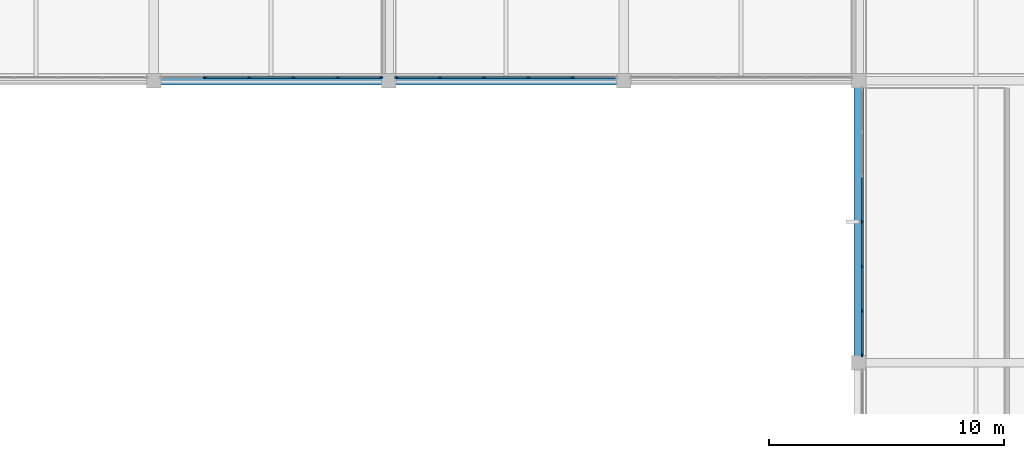
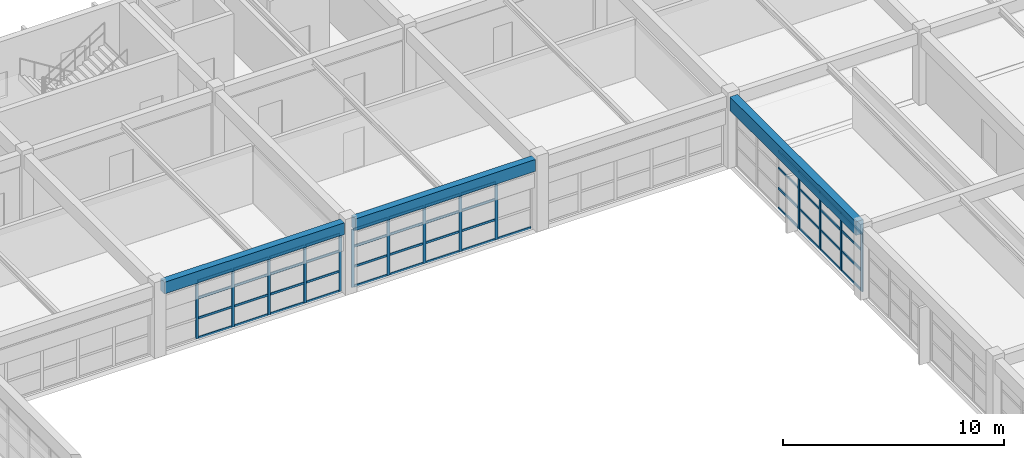
# One storey, part 10 of 28: 63 members, 3 beams, 3 elements without a shape of their own.
"""IFC4 building model written with IfcOpenShell, lengths in metres."""

from ifc_helpers import new_model, si_unit, direction, frame, origin, origin_2d, place, context, subcontext, project, spatial, rectangle, extrude, material, layer, layer_set, material_profile, profile_set, type_object, element, aggregate, save


model = new_model("IFC4")

# Units and contexts
model_context = context("Model", 3, precision=1e-05, world=origin(), true_north=direction((0.0, 1.0)))
body_context = subcontext(model_context, "Body", "Model", "MODEL_VIEW")
ifc_project = project(units=[si_unit("LENGTHUNIT", "METRE"), si_unit("AREAUNIT", "SQUARE_METRE"), si_unit("VOLUMEUNIT", "CUBIC_METRE"), si_unit("PLANEANGLEUNIT", "RADIAN"), si_unit("MASSUNIT", "GRAM", prefix="KILO")], contexts=[model_context])

# Site, building, storey
site_placement = place(None, origin())
site = spatial("IfcSite", under=ifc_project, at=site_placement, CompositionType="ELEMENT")
building_placement = place(site_placement, origin())
building = spatial("IfcBuilding", under=site, at=building_placement, Name="Kivolera Central Railway Station", CompositionType="ELEMENT")
storey_placement = place(building_placement, frame((0.0, 0.0, 18.60009765625)))
storey = spatial("IfcBuildingStorey", under=building, at=storey_placement, Name="L04", CompositionType="ELEMENT", Elevation=18.60009765625)

# Beams
ifc_material_1 = material(Name="Concrete C40/50", Category="concrete")
ifc_material_profile_1 = material_profile(ifc_material_1, rectangle(XDim=0.35009765625, YDim=0.64990234375, at=origin_2d()), Name="RC 350x650")
ifc_profile_set_1 = profile_set([ifc_material_profile_1], Name="Concrete C40/50")
beam_type_1 = type_object("IfcBeamType", Name="BM-RC-350x650", PredefinedType="BEAM", material=ifc_profile_set_1)
for number, where, z_axis, x_axis, name in (
    (1, (148.2919921875, 114.0, 3.625), (1.0, 0.0, 0.0), (0.0, 1.0, 0.0), "L04 Wing X-Beam K:15-16"),
    (2, (158.2919921875, 114.0, 3.625), (1.0, 0.0, 0.0), (0.0, 1.0, 0.0), "L04 Wing X-Beam K:16-17"),
):
    element("IfcBeam", number, at=place(storey_placement, frame(where, z_axis=z_axis, x_axis=x_axis)), inside=storey, type_object=beam_type_1, Name=name, PredefinedType="BEAM", context=body_context, shape_type="SweptSolid", body=[
        extrude(rectangle(XDim=0.35009765625, YDim=0.64990234375, at=origin_2d()), origin(), (0.0, 0.0, 1.0), 9.416015625),
    ])
ifc_material_profile_2 = material_profile(ifc_material_1, rectangle(XDim=0.39990234375, YDim=0.75, at=origin_2d()), Name="RC 400x750")
ifc_profile_set_2 = profile_set([ifc_material_profile_2], Name="Concrete C40/50")
beam_type_2 = type_object("IfcBeamType", Name="BM-RC-400x750", PredefinedType="BEAM", material=ifc_profile_set_2)
beam_placement = place(storey_placement, frame((178.0, 102.2919921875, 3.574951171875), z_axis=(0.0, 1.0, 0.0), x_axis=(-1.0, 0.0, 0.0)))
element("IfcBeam", 3, at=beam_placement, inside=storey, type_object=beam_type_2, Name="L04 Wing Y-Beam 18:J-K", PredefinedType="BEAM", context=body_context, shape_type="SweptSolid", body=[
    extrude(rectangle(XDim=0.39990234375, YDim=0.75, at=origin_2d()), origin(), (0.0, 0.0, 1.0), 11.416015625),
])

# Curtain wall, members
ifc_material_2 = material(Name="Anodised aluminium", Category="aluminium")
ifc_layer_1 = layer(ifc_material_2, 0.179931640625, Name="Anodised aluminium")
ifc_layer_set_1 = layer_set([ifc_layer_1], Name="Anodised aluminium")
curtain_wall_type_1 = type_object("IfcCurtainWallType", Name="CW-SYS-31", PredefinedType="NOTDEFINED", material=ifc_layer_set_1)
curtain_wall_1_placement = place(storey_placement, origin())
curtain_wall_1 = element("IfcCurtainWall", 4, at=curtain_wall_1_placement, inside=storey, type_object=curtain_wall_type_1, Name="L04 Curtain Wall CW-L04-CRTN-148", PredefinedType="NOTDEFINED")
ifc_material_profile_3 = material_profile(ifc_material_2, rectangle(XDim=0.06005859375, YDim=0.14990234375, at=origin_2d()), Name="ALU MULL 60x150")
ifc_profile_set_3 = profile_set([ifc_material_profile_3], Name="Anodised aluminium")
member_type_1 = type_object("IfcMemberType", Name="CWM-MUL-2", PredefinedType="MULLION", material=ifc_profile_set_3)
member_1_placement = place(storey_placement, frame((157.675048828125, 114.14501953125, -0.005126953125), z_axis=(0.0, 0.0, 1.0), x_axis=(0.0, -1.0, 0.0)))
member_1 = element("IfcMember", 5, at=member_1_placement, type_object=member_type_1, Name="CW-31 mullion 1", PredefinedType="MULLION", context=body_context, shape_type="SweptSolid", body=[
    extrude(rectangle(XDim=0.06005859375, YDim=0.14990234375, at=origin_2d()), origin(), (0.0, 0.0, 1.0), 3.193115234375),
])
member_2_placement = place(storey_placement, frame((155.822998046875, 114.14501953125, -0.005126953125), z_axis=(0.0, 0.0, 1.0), x_axis=(0.0, -1.0, 0.0)))
member_2 = element("IfcMember", 6, at=member_2_placement, type_object=member_type_1, Name="CW-31 mullion 2", PredefinedType="MULLION", context=body_context, shape_type="SweptSolid", body=[
    extrude(rectangle(XDim=0.06005859375, YDim=0.14990234375, at=origin_2d()), origin(), (0.0, 0.0, 1.0), 3.193115234375),
])
member_3_placement = place(storey_placement, frame((153.94091796875, 114.14501953125, -0.005126953125), z_axis=(0.0, 0.0, 1.0), x_axis=(0.0, -1.0, 0.0)))
member_3 = element("IfcMember", 7, at=member_3_placement, type_object=member_type_1, Name="CW-31 mullion 3", PredefinedType="MULLION", context=body_context, shape_type="SweptSolid", body=[
    extrude(rectangle(XDim=0.06005859375, YDim=0.14990234375, at=origin_2d()), origin(), (0.0, 0.0, 1.0), 3.193115234375),
])
member_4_placement = place(storey_placement, frame((152.05908203125, 114.14501953125, -0.005126953125), z_axis=(0.0, 0.0, 1.0), x_axis=(0.0, -1.0, 0.0)))
member_4 = element("IfcMember", 8, at=member_4_placement, type_object=member_type_1, Name="CW-31 mullion 4", PredefinedType="MULLION", context=body_context, shape_type="SweptSolid", body=[
    extrude(rectangle(XDim=0.06005859375, YDim=0.14990234375, at=origin_2d()), origin(), (0.0, 0.0, 1.0), 3.193115234375),
])
member_5_placement = place(storey_placement, frame((150.177001953125, 114.14501953125, -0.005126953125), z_axis=(0.0, 0.0, 1.0), x_axis=(0.0, -1.0, 0.0)))
member_5 = element("IfcMember", 9, at=member_5_placement, type_object=member_type_1, Name="CW-31 mullion 5", PredefinedType="MULLION", context=body_context, shape_type="SweptSolid", body=[
    extrude(rectangle(XDim=0.06005859375, YDim=0.14990234375, at=origin_2d()), origin(), (0.0, 0.0, 1.0), 3.193115234375),
])

curtain_wall_2_placement = place(storey_placement, origin())
curtain_wall_2 = element("IfcCurtainWall", 10, at=curtain_wall_2_placement, inside=storey, type_object=curtain_wall_type_1, Name="L04 Curtain Wall CW-L04-CRTN-158", PredefinedType="NOTDEFINED")
member_6_placement = place(storey_placement, frame((165.822998046875, 114.14501953125, -0.005126953125), z_axis=(0.0, 0.0, 1.0), x_axis=(0.0, -1.0, 0.0)))
member_6 = element("IfcMember", 11, at=member_6_placement, type_object=member_type_1, Name="CW-31 mullion 2", PredefinedType="MULLION", context=body_context, shape_type="SweptSolid", body=[
    extrude(rectangle(XDim=0.06005859375, YDim=0.14990234375, at=origin_2d()), origin(), (0.0, 0.0, 1.0), 3.193115234375),
])
member_7_placement = place(storey_placement, frame((163.94091796875, 114.14501953125, -0.005126953125), z_axis=(0.0, 0.0, 1.0), x_axis=(0.0, -1.0, 0.0)))
member_7 = element("IfcMember", 12, at=member_7_placement, type_object=member_type_1, Name="CW-31 mullion 3", PredefinedType="MULLION", context=body_context, shape_type="SweptSolid", body=[
    extrude(rectangle(XDim=0.06005859375, YDim=0.14990234375, at=origin_2d()), origin(), (0.0, 0.0, 1.0), 3.193115234375),
])
member_8_placement = place(storey_placement, frame((162.05908203125, 114.14501953125, -0.005126953125), z_axis=(0.0, 0.0, 1.0), x_axis=(0.0, -1.0, 0.0)))
member_8 = element("IfcMember", 13, at=member_8_placement, type_object=member_type_1, Name="CW-31 mullion 4", PredefinedType="MULLION", context=body_context, shape_type="SweptSolid", body=[
    extrude(rectangle(XDim=0.06005859375, YDim=0.14990234375, at=origin_2d()), origin(), (0.0, 0.0, 1.0), 3.193115234375),
])
member_9_placement = place(storey_placement, frame((160.177001953125, 114.14501953125, -0.005126953125), z_axis=(0.0, 0.0, 1.0), x_axis=(0.0, -1.0, 0.0)))
member_9 = element("IfcMember", 14, at=member_9_placement, type_object=member_type_1, Name="CW-31 mullion 5", PredefinedType="MULLION", context=body_context, shape_type="SweptSolid", body=[
    extrude(rectangle(XDim=0.06005859375, YDim=0.14990234375, at=origin_2d()), origin(), (0.0, 0.0, 1.0), 3.193115234375),
])
member_10_placement = place(storey_placement, frame((158.324951171875, 114.14501953125, -0.005126953125), z_axis=(0.0, 0.0, 1.0), x_axis=(0.0, -1.0, 0.0)))
member_10 = element("IfcMember", 15, at=member_10_placement, type_object=member_type_1, Name="CW-31 mullion 6", PredefinedType="MULLION", context=body_context, shape_type="SweptSolid", body=[
    extrude(rectangle(XDim=0.06005859375, YDim=0.14990234375, at=origin_2d()), origin(), (0.0, 0.0, 1.0), 3.193115234375),
])

ifc_layer_2 = layer(ifc_material_2, 0.179931640625, Name="Anodised aluminium")
ifc_layer_set_2 = layer_set([ifc_layer_2], Name="Anodised aluminium")
curtain_wall_type_2 = type_object("IfcCurtainWallType", Name="CW-SYS-32", PredefinedType="NOTDEFINED", material=ifc_layer_set_2)
curtain_wall_3_placement = place(storey_placement, origin())
curtain_wall_3 = element("IfcCurtainWall", 16, at=curtain_wall_3_placement, inside=storey, type_object=curtain_wall_type_2, Name="L04 Curtain Wall CW-L04-CRTE-J", PredefinedType="NOTDEFINED")
member_11_placement = place(storey_placement, frame((178.14501953125, 102.324951171875, -0.005126953125), z_axis=(0.0, 0.0, 1.0), x_axis=(-1.0, 0.0, 0.0)))
member_11 = element("IfcMember", 17, at=member_11_placement, type_object=member_type_1, Name="CW-32 mullion 1", PredefinedType="MULLION", context=body_context, shape_type="SweptSolid", body=[
    extrude(rectangle(XDim=0.06005859375, YDim=0.14990234375, at=origin_2d()), origin(), (0.0, 0.0, 1.0), 3.193115234375),
])
member_12_placement = place(storey_placement, frame((178.14501953125, 104.19677734375, -0.005126953125), z_axis=(0.0, 0.0, 1.0), x_axis=(-1.0, 0.0, 0.0)))
member_12 = element("IfcMember", 18, at=member_12_placement, type_object=member_type_1, Name="CW-32 mullion 2", PredefinedType="MULLION", context=body_context, shape_type="SweptSolid", body=[
    extrude(rectangle(XDim=0.06005859375, YDim=0.14990234375, at=origin_2d()), origin(), (0.0, 0.0, 1.0), 3.193115234375),
])
member_13_placement = place(storey_placement, frame((178.14501953125, 106.098388671875, -0.005126953125), z_axis=(0.0, 0.0, 1.0), x_axis=(-1.0, 0.0, 0.0)))
member_13 = element("IfcMember", 19, at=member_13_placement, type_object=member_type_1, Name="CW-32 mullion 3", PredefinedType="MULLION", context=body_context, shape_type="SweptSolid", body=[
    extrude(rectangle(XDim=0.06005859375, YDim=0.14990234375, at=origin_2d()), origin(), (0.0, 0.0, 1.0), 3.193115234375),
])
member_14_placement = place(storey_placement, frame((178.14501953125, 108.0, -0.005126953125), z_axis=(0.0, 0.0, 1.0), x_axis=(-1.0, 0.0, 0.0)))
member_14 = element("IfcMember", 20, at=member_14_placement, type_object=member_type_1, Name="CW-32 mullion 4", PredefinedType="MULLION", context=body_context, shape_type="SweptSolid", body=[
    extrude(rectangle(XDim=0.06005859375, YDim=0.14990234375, at=origin_2d()), origin(), (0.0, 0.0, 1.0), 3.193115234375),
])

# Member
ifc_material_profile_4 = material_profile(ifc_material_2, rectangle(XDim=0.06005859375, YDim=0.1201171875, at=origin_2d()), Name="ALU TRAN 60x120")
ifc_profile_set_4 = profile_set([ifc_material_profile_4], Name="Anodised aluminium")
member_type_2 = type_object("IfcMemberType", Name="CWM-TRN-2", PredefinedType="USERDEFINED", material=ifc_profile_set_4)
member_15_placement = place(storey_placement, frame((157.64501953125, 114.14501953125, 0.02978515625), z_axis=(-1.0, 0.0, 0.0), x_axis=(0.0, -1.0, 0.0)))
member_15 = element("IfcMember", 21, at=member_15_placement, type_object=member_type_2, Name="CW-31 transom 1.1", ObjectType="TRANSOM", PredefinedType="USERDEFINED", context=body_context, shape_type="SweptSolid", body=[
    extrude(rectangle(XDim=0.06005859375, YDim=0.1201171875, at=origin_2d()), origin(), (0.0, 0.0, 1.0), 1.7919921875),
])

member_16_placement = place(storey_placement, frame((157.64501953125, 114.14501953125, 1.11572265625), z_axis=(-1.0, 0.0, 0.0), x_axis=(0.0, -1.0, 0.0)))
member_16 = element("IfcMember", 22, at=member_16_placement, type_object=member_type_2, Name="CW-31 transom 1.2", ObjectType="TRANSOM", PredefinedType="USERDEFINED", context=body_context, shape_type="SweptSolid", body=[
    extrude(rectangle(XDim=0.06005859375, YDim=0.1201171875, at=origin_2d()), origin(), (0.0, 0.0, 1.0), 1.7919921875),
])

member_17_placement = place(storey_placement, frame((157.64501953125, 114.14501953125, 2.2314453125), z_axis=(-1.0, 0.0, 0.0), x_axis=(0.0, -1.0, 0.0)))
member_17 = element("IfcMember", 23, at=member_17_placement, type_object=member_type_2, Name="CW-31 transom 1.3", ObjectType="TRANSOM", PredefinedType="USERDEFINED", context=body_context, shape_type="SweptSolid", body=[
    extrude(rectangle(XDim=0.06005859375, YDim=0.1201171875, at=origin_2d()), origin(), (0.0, 0.0, 1.0), 1.7919921875),
])

member_18_placement = place(storey_placement, frame((157.64501953125, 114.14501953125, 3.157958984375), z_axis=(-1.0, 0.0, 0.0), x_axis=(0.0, -1.0, 0.0)))
member_18 = element("IfcMember", 24, at=member_18_placement, type_object=member_type_2, Name="CW-31 transom 1.4", ObjectType="TRANSOM", PredefinedType="USERDEFINED", context=body_context, shape_type="SweptSolid", body=[
    extrude(rectangle(XDim=0.06005859375, YDim=0.1201171875, at=origin_2d()), origin(), (0.0, 0.0, 1.0), 1.7919921875),
])

member_19_placement = place(storey_placement, frame((155.79296875, 114.14501953125, 0.02978515625), z_axis=(-1.0, 0.0, 0.0), x_axis=(0.0, -1.0, 0.0)))
member_19 = element("IfcMember", 25, at=member_19_placement, type_object=member_type_2, Name="CW-31 transom 2.1", ObjectType="TRANSOM", PredefinedType="USERDEFINED", context=body_context, shape_type="SweptSolid", body=[
    extrude(rectangle(XDim=0.06005859375, YDim=0.1201171875, at=origin_2d()), origin(), (0.0, 0.0, 1.0), 1.822021484375),
])

member_20_placement = place(storey_placement, frame((155.79296875, 114.14501953125, 1.11572265625), z_axis=(-1.0, 0.0, 0.0), x_axis=(0.0, -1.0, 0.0)))
member_20 = element("IfcMember", 26, at=member_20_placement, type_object=member_type_2, Name="CW-31 transom 2.2", ObjectType="TRANSOM", PredefinedType="USERDEFINED", context=body_context, shape_type="SweptSolid", body=[
    extrude(rectangle(XDim=0.06005859375, YDim=0.1201171875, at=origin_2d()), origin(), (0.0, 0.0, 1.0), 1.822021484375),
])

member_21_placement = place(storey_placement, frame((155.79296875, 114.14501953125, 2.2314453125), z_axis=(-1.0, 0.0, 0.0), x_axis=(0.0, -1.0, 0.0)))
member_21 = element("IfcMember", 27, at=member_21_placement, type_object=member_type_2, Name="CW-31 transom 2.3", ObjectType="TRANSOM", PredefinedType="USERDEFINED", context=body_context, shape_type="SweptSolid", body=[
    extrude(rectangle(XDim=0.06005859375, YDim=0.1201171875, at=origin_2d()), origin(), (0.0, 0.0, 1.0), 1.822021484375),
])

member_22_placement = place(storey_placement, frame((155.79296875, 114.14501953125, 3.157958984375), z_axis=(-1.0, 0.0, 0.0), x_axis=(0.0, -1.0, 0.0)))
member_22 = element("IfcMember", 28, at=member_22_placement, type_object=member_type_2, Name="CW-31 transom 2.4", ObjectType="TRANSOM", PredefinedType="USERDEFINED", context=body_context, shape_type="SweptSolid", body=[
    extrude(rectangle(XDim=0.06005859375, YDim=0.1201171875, at=origin_2d()), origin(), (0.0, 0.0, 1.0), 1.822021484375),
])

member_23_placement = place(storey_placement, frame((153.910888671875, 114.14501953125, 0.02978515625), z_axis=(-1.0, 0.0, 0.0), x_axis=(0.0, -1.0, 0.0)))
member_23 = element("IfcMember", 29, at=member_23_placement, type_object=member_type_2, Name="CW-31 transom 3.1", ObjectType="TRANSOM", PredefinedType="USERDEFINED", context=body_context, shape_type="SweptSolid", body=[
    extrude(rectangle(XDim=0.06005859375, YDim=0.1201171875, at=origin_2d()), origin(), (0.0, 0.0, 1.0), 1.82177734375),
])

member_24_placement = place(storey_placement, frame((153.910888671875, 114.14501953125, 1.11572265625), z_axis=(-1.0, 0.0, 0.0), x_axis=(0.0, -1.0, 0.0)))
member_24 = element("IfcMember", 30, at=member_24_placement, type_object=member_type_2, Name="CW-31 transom 3.2", ObjectType="TRANSOM", PredefinedType="USERDEFINED", context=body_context, shape_type="SweptSolid", body=[
    extrude(rectangle(XDim=0.06005859375, YDim=0.1201171875, at=origin_2d()), origin(), (0.0, 0.0, 1.0), 1.82177734375),
])

member_25_placement = place(storey_placement, frame((153.910888671875, 114.14501953125, 2.2314453125), z_axis=(-1.0, 0.0, 0.0), x_axis=(0.0, -1.0, 0.0)))
member_25 = element("IfcMember", 31, at=member_25_placement, type_object=member_type_2, Name="CW-31 transom 3.3", ObjectType="TRANSOM", PredefinedType="USERDEFINED", context=body_context, shape_type="SweptSolid", body=[
    extrude(rectangle(XDim=0.06005859375, YDim=0.1201171875, at=origin_2d()), origin(), (0.0, 0.0, 1.0), 1.82177734375),
])

member_26_placement = place(storey_placement, frame((153.910888671875, 114.14501953125, 3.157958984375), z_axis=(-1.0, 0.0, 0.0), x_axis=(0.0, -1.0, 0.0)))
member_26 = element("IfcMember", 32, at=member_26_placement, type_object=member_type_2, Name="CW-31 transom 3.4", ObjectType="TRANSOM", PredefinedType="USERDEFINED", context=body_context, shape_type="SweptSolid", body=[
    extrude(rectangle(XDim=0.06005859375, YDim=0.1201171875, at=origin_2d()), origin(), (0.0, 0.0, 1.0), 1.82177734375),
])

member_27_placement = place(storey_placement, frame((152.029052734375, 114.14501953125, 0.02978515625), z_axis=(-1.0, 0.0, 0.0), x_axis=(0.0, -1.0, 0.0)))
member_27 = element("IfcMember", 33, at=member_27_placement, type_object=member_type_2, Name="CW-31 transom 4.1", ObjectType="TRANSOM", PredefinedType="USERDEFINED", context=body_context, shape_type="SweptSolid", body=[
    extrude(rectangle(XDim=0.06005859375, YDim=0.1201171875, at=origin_2d()), origin(), (0.0, 0.0, 1.0), 1.822021484375),
])

member_28_placement = place(storey_placement, frame((152.029052734375, 114.14501953125, 1.11572265625), z_axis=(-1.0, 0.0, 0.0), x_axis=(0.0, -1.0, 0.0)))
member_28 = element("IfcMember", 34, at=member_28_placement, type_object=member_type_2, Name="CW-31 transom 4.2", ObjectType="TRANSOM", PredefinedType="USERDEFINED", context=body_context, shape_type="SweptSolid", body=[
    extrude(rectangle(XDim=0.06005859375, YDim=0.1201171875, at=origin_2d()), origin(), (0.0, 0.0, 1.0), 1.822021484375),
])

member_29_placement = place(storey_placement, frame((152.029052734375, 114.14501953125, 2.2314453125), z_axis=(-1.0, 0.0, 0.0), x_axis=(0.0, -1.0, 0.0)))
member_29 = element("IfcMember", 35, at=member_29_placement, type_object=member_type_2, Name="CW-31 transom 4.3", ObjectType="TRANSOM", PredefinedType="USERDEFINED", context=body_context, shape_type="SweptSolid", body=[
    extrude(rectangle(XDim=0.06005859375, YDim=0.1201171875, at=origin_2d()), origin(), (0.0, 0.0, 1.0), 1.822021484375),
])

member_30_placement = place(storey_placement, frame((152.029052734375, 114.14501953125, 3.157958984375), z_axis=(-1.0, 0.0, 0.0), x_axis=(0.0, -1.0, 0.0)))
member_30 = element("IfcMember", 36, at=member_30_placement, type_object=member_type_2, Name="CW-31 transom 4.4", ObjectType="TRANSOM", PredefinedType="USERDEFINED", context=body_context, shape_type="SweptSolid", body=[
    extrude(rectangle(XDim=0.06005859375, YDim=0.1201171875, at=origin_2d()), origin(), (0.0, 0.0, 1.0), 1.822021484375),
])

aggregate(curtain_wall_1, [member_1, member_2, member_3, member_4, member_5, member_15, member_16, member_17, member_18, member_19, member_20, member_21, member_22, member_23, member_24, member_25, member_26, member_27, member_28, member_29, member_30])

member_31_placement = place(storey_placement, frame((167.64501953125, 114.14501953125, 0.02978515625), z_axis=(-1.0, 0.0, 0.0), x_axis=(0.0, -1.0, 0.0)))
member_31 = element("IfcMember", 37, at=member_31_placement, type_object=member_type_2, Name="CW-31 transom 1.1", ObjectType="TRANSOM", PredefinedType="USERDEFINED", context=body_context, shape_type="SweptSolid", body=[
    extrude(rectangle(XDim=0.06005859375, YDim=0.1201171875, at=origin_2d()), origin(), (0.0, 0.0, 1.0), 1.7919921875),
])

member_32_placement = place(storey_placement, frame((165.79296875, 114.14501953125, 0.02978515625), z_axis=(-1.0, 0.0, 0.0), x_axis=(0.0, -1.0, 0.0)))
member_32 = element("IfcMember", 38, at=member_32_placement, type_object=member_type_2, Name="CW-31 transom 2.1", ObjectType="TRANSOM", PredefinedType="USERDEFINED", context=body_context, shape_type="SweptSolid", body=[
    extrude(rectangle(XDim=0.06005859375, YDim=0.1201171875, at=origin_2d()), origin(), (0.0, 0.0, 1.0), 1.822021484375),
])

member_33_placement = place(storey_placement, frame((165.79296875, 114.14501953125, 1.11572265625), z_axis=(-1.0, 0.0, 0.0), x_axis=(0.0, -1.0, 0.0)))
member_33 = element("IfcMember", 39, at=member_33_placement, type_object=member_type_2, Name="CW-31 transom 2.2", ObjectType="TRANSOM", PredefinedType="USERDEFINED", context=body_context, shape_type="SweptSolid", body=[
    extrude(rectangle(XDim=0.06005859375, YDim=0.1201171875, at=origin_2d()), origin(), (0.0, 0.0, 1.0), 1.822021484375),
])

member_34_placement = place(storey_placement, frame((165.79296875, 114.14501953125, 2.2314453125), z_axis=(-1.0, 0.0, 0.0), x_axis=(0.0, -1.0, 0.0)))
member_34 = element("IfcMember", 40, at=member_34_placement, type_object=member_type_2, Name="CW-31 transom 2.3", ObjectType="TRANSOM", PredefinedType="USERDEFINED", context=body_context, shape_type="SweptSolid", body=[
    extrude(rectangle(XDim=0.06005859375, YDim=0.1201171875, at=origin_2d()), origin(), (0.0, 0.0, 1.0), 1.822021484375),
])

member_35_placement = place(storey_placement, frame((165.79296875, 114.14501953125, 3.157958984375), z_axis=(-1.0, 0.0, 0.0), x_axis=(0.0, -1.0, 0.0)))
member_35 = element("IfcMember", 41, at=member_35_placement, type_object=member_type_2, Name="CW-31 transom 2.4", ObjectType="TRANSOM", PredefinedType="USERDEFINED", context=body_context, shape_type="SweptSolid", body=[
    extrude(rectangle(XDim=0.06005859375, YDim=0.1201171875, at=origin_2d()), origin(), (0.0, 0.0, 1.0), 1.822021484375),
])

member_36_placement = place(storey_placement, frame((163.910888671875, 114.14501953125, 0.02978515625), z_axis=(-1.0, 0.0, 0.0), x_axis=(0.0, -1.0, 0.0)))
member_36 = element("IfcMember", 42, at=member_36_placement, type_object=member_type_2, Name="CW-31 transom 3.1", ObjectType="TRANSOM", PredefinedType="USERDEFINED", context=body_context, shape_type="SweptSolid", body=[
    extrude(rectangle(XDim=0.06005859375, YDim=0.1201171875, at=origin_2d()), origin(), (0.0, 0.0, 1.0), 1.82177734375),
])

member_37_placement = place(storey_placement, frame((163.910888671875, 114.14501953125, 1.11572265625), z_axis=(-1.0, 0.0, 0.0), x_axis=(0.0, -1.0, 0.0)))
member_37 = element("IfcMember", 43, at=member_37_placement, type_object=member_type_2, Name="CW-31 transom 3.2", ObjectType="TRANSOM", PredefinedType="USERDEFINED", context=body_context, shape_type="SweptSolid", body=[
    extrude(rectangle(XDim=0.06005859375, YDim=0.1201171875, at=origin_2d()), origin(), (0.0, 0.0, 1.0), 1.82177734375),
])

member_38_placement = place(storey_placement, frame((163.910888671875, 114.14501953125, 2.2314453125), z_axis=(-1.0, 0.0, 0.0), x_axis=(0.0, -1.0, 0.0)))
member_38 = element("IfcMember", 44, at=member_38_placement, type_object=member_type_2, Name="CW-31 transom 3.3", ObjectType="TRANSOM", PredefinedType="USERDEFINED", context=body_context, shape_type="SweptSolid", body=[
    extrude(rectangle(XDim=0.06005859375, YDim=0.1201171875, at=origin_2d()), origin(), (0.0, 0.0, 1.0), 1.82177734375),
])

member_39_placement = place(storey_placement, frame((163.910888671875, 114.14501953125, 3.157958984375), z_axis=(-1.0, 0.0, 0.0), x_axis=(0.0, -1.0, 0.0)))
member_39 = element("IfcMember", 45, at=member_39_placement, type_object=member_type_2, Name="CW-31 transom 3.4", ObjectType="TRANSOM", PredefinedType="USERDEFINED", context=body_context, shape_type="SweptSolid", body=[
    extrude(rectangle(XDim=0.06005859375, YDim=0.1201171875, at=origin_2d()), origin(), (0.0, 0.0, 1.0), 1.82177734375),
])

member_40_placement = place(storey_placement, frame((162.029052734375, 114.14501953125, 0.02978515625), z_axis=(-1.0, 0.0, 0.0), x_axis=(0.0, -1.0, 0.0)))
member_40 = element("IfcMember", 46, at=member_40_placement, type_object=member_type_2, Name="CW-31 transom 4.1", ObjectType="TRANSOM", PredefinedType="USERDEFINED", context=body_context, shape_type="SweptSolid", body=[
    extrude(rectangle(XDim=0.06005859375, YDim=0.1201171875, at=origin_2d()), origin(), (0.0, 0.0, 1.0), 1.822021484375),
])

member_41_placement = place(storey_placement, frame((162.029052734375, 114.14501953125, 1.11572265625), z_axis=(-1.0, 0.0, 0.0), x_axis=(0.0, -1.0, 0.0)))
member_41 = element("IfcMember", 47, at=member_41_placement, type_object=member_type_2, Name="CW-31 transom 4.2", ObjectType="TRANSOM", PredefinedType="USERDEFINED", context=body_context, shape_type="SweptSolid", body=[
    extrude(rectangle(XDim=0.06005859375, YDim=0.1201171875, at=origin_2d()), origin(), (0.0, 0.0, 1.0), 1.822021484375),
])

member_42_placement = place(storey_placement, frame((162.029052734375, 114.14501953125, 2.2314453125), z_axis=(-1.0, 0.0, 0.0), x_axis=(0.0, -1.0, 0.0)))
member_42 = element("IfcMember", 48, at=member_42_placement, type_object=member_type_2, Name="CW-31 transom 4.3", ObjectType="TRANSOM", PredefinedType="USERDEFINED", context=body_context, shape_type="SweptSolid", body=[
    extrude(rectangle(XDim=0.06005859375, YDim=0.1201171875, at=origin_2d()), origin(), (0.0, 0.0, 1.0), 1.822021484375),
])

member_43_placement = place(storey_placement, frame((162.029052734375, 114.14501953125, 3.157958984375), z_axis=(-1.0, 0.0, 0.0), x_axis=(0.0, -1.0, 0.0)))
member_43 = element("IfcMember", 49, at=member_43_placement, type_object=member_type_2, Name="CW-31 transom 4.4", ObjectType="TRANSOM", PredefinedType="USERDEFINED", context=body_context, shape_type="SweptSolid", body=[
    extrude(rectangle(XDim=0.06005859375, YDim=0.1201171875, at=origin_2d()), origin(), (0.0, 0.0, 1.0), 1.822021484375),
])

member_44_placement = place(storey_placement, frame((160.14697265625, 114.14501953125, 0.02978515625), z_axis=(-1.0, 0.0, 0.0), x_axis=(0.0, -1.0, 0.0)))
member_44 = element("IfcMember", 50, at=member_44_placement, type_object=member_type_2, Name="CW-31 transom 5.1", ObjectType="TRANSOM", PredefinedType="USERDEFINED", context=body_context, shape_type="SweptSolid", body=[
    extrude(rectangle(XDim=0.06005859375, YDim=0.1201171875, at=origin_2d()), origin(), (0.0, 0.0, 1.0), 1.7919921875),
])

member_45_placement = place(storey_placement, frame((160.14697265625, 114.14501953125, 1.11572265625), z_axis=(-1.0, 0.0, 0.0), x_axis=(0.0, -1.0, 0.0)))
member_45 = element("IfcMember", 51, at=member_45_placement, type_object=member_type_2, Name="CW-31 transom 5.2", ObjectType="TRANSOM", PredefinedType="USERDEFINED", context=body_context, shape_type="SweptSolid", body=[
    extrude(rectangle(XDim=0.06005859375, YDim=0.1201171875, at=origin_2d()), origin(), (0.0, 0.0, 1.0), 1.7919921875),
])

member_46_placement = place(storey_placement, frame((160.14697265625, 114.14501953125, 2.2314453125), z_axis=(-1.0, 0.0, 0.0), x_axis=(0.0, -1.0, 0.0)))
member_46 = element("IfcMember", 52, at=member_46_placement, type_object=member_type_2, Name="CW-31 transom 5.3", ObjectType="TRANSOM", PredefinedType="USERDEFINED", context=body_context, shape_type="SweptSolid", body=[
    extrude(rectangle(XDim=0.06005859375, YDim=0.1201171875, at=origin_2d()), origin(), (0.0, 0.0, 1.0), 1.7919921875),
])

member_47_placement = place(storey_placement, frame((160.14697265625, 114.14501953125, 3.157958984375), z_axis=(-1.0, 0.0, 0.0), x_axis=(0.0, -1.0, 0.0)))
member_47 = element("IfcMember", 53, at=member_47_placement, type_object=member_type_2, Name="CW-31 transom 5.4", ObjectType="TRANSOM", PredefinedType="USERDEFINED", context=body_context, shape_type="SweptSolid", body=[
    extrude(rectangle(XDim=0.06005859375, YDim=0.1201171875, at=origin_2d()), origin(), (0.0, 0.0, 1.0), 1.7919921875),
])

aggregate(curtain_wall_2, [member_6, member_7, member_8, member_9, member_10, member_31, member_32, member_33, member_34, member_35, member_36, member_37, member_38, member_39, member_40, member_41, member_42, member_43, member_44, member_45, member_46, member_47])

member_48_placement = place(storey_placement, frame((178.14501953125, 102.35498046875, 0.02978515625), z_axis=(0.0, 1.0, 0.0), x_axis=(-1.0, 0.0, 0.0)))
member_48 = element("IfcMember", 54, at=member_48_placement, type_object=member_type_2, Name="CW-32 transom 1.1", ObjectType="TRANSOM", PredefinedType="USERDEFINED", context=body_context, shape_type="SweptSolid", body=[
    extrude(rectangle(XDim=0.06005859375, YDim=0.1201171875, at=origin_2d()), origin(), (0.0, 0.0, 1.0), 1.811767578125),
])

member_49_placement = place(storey_placement, frame((178.14501953125, 102.35498046875, 1.11572265625), z_axis=(0.0, 1.0, 0.0), x_axis=(-1.0, 0.0, 0.0)))
member_49 = element("IfcMember", 55, at=member_49_placement, type_object=member_type_2, Name="CW-32 transom 1.2", ObjectType="TRANSOM", PredefinedType="USERDEFINED", context=body_context, shape_type="SweptSolid", body=[
    extrude(rectangle(XDim=0.06005859375, YDim=0.1201171875, at=origin_2d()), origin(), (0.0, 0.0, 1.0), 1.811767578125),
])

member_50_placement = place(storey_placement, frame((178.14501953125, 102.35498046875, 2.2314453125), z_axis=(0.0, 1.0, 0.0), x_axis=(-1.0, 0.0, 0.0)))
member_50 = element("IfcMember", 56, at=member_50_placement, type_object=member_type_2, Name="CW-32 transom 1.3", ObjectType="TRANSOM", PredefinedType="USERDEFINED", context=body_context, shape_type="SweptSolid", body=[
    extrude(rectangle(XDim=0.06005859375, YDim=0.1201171875, at=origin_2d()), origin(), (0.0, 0.0, 1.0), 1.811767578125),
])

member_51_placement = place(storey_placement, frame((178.14501953125, 102.35498046875, 3.157958984375), z_axis=(0.0, 1.0, 0.0), x_axis=(-1.0, 0.0, 0.0)))
member_51 = element("IfcMember", 57, at=member_51_placement, type_object=member_type_2, Name="CW-32 transom 1.4", ObjectType="TRANSOM", PredefinedType="USERDEFINED", context=body_context, shape_type="SweptSolid", body=[
    extrude(rectangle(XDim=0.06005859375, YDim=0.1201171875, at=origin_2d()), origin(), (0.0, 0.0, 1.0), 1.811767578125),
])

member_52_placement = place(storey_placement, frame((178.14501953125, 104.2265625, 0.02978515625), z_axis=(0.0, 1.0, 0.0), x_axis=(-1.0, 0.0, 0.0)))
member_52 = element("IfcMember", 58, at=member_52_placement, type_object=member_type_2, Name="CW-32 transom 2.1", ObjectType="TRANSOM", PredefinedType="USERDEFINED", context=body_context, shape_type="SweptSolid", body=[
    extrude(rectangle(XDim=0.06005859375, YDim=0.1201171875, at=origin_2d()), origin(), (0.0, 0.0, 1.0), 1.841796875),
])

member_53_placement = place(storey_placement, frame((178.14501953125, 104.2265625, 1.11572265625), z_axis=(0.0, 1.0, 0.0), x_axis=(-1.0, 0.0, 0.0)))
member_53 = element("IfcMember", 59, at=member_53_placement, type_object=member_type_2, Name="CW-32 transom 2.2", ObjectType="TRANSOM", PredefinedType="USERDEFINED", context=body_context, shape_type="SweptSolid", body=[
    extrude(rectangle(XDim=0.06005859375, YDim=0.1201171875, at=origin_2d()), origin(), (0.0, 0.0, 1.0), 1.841796875),
])

member_54_placement = place(storey_placement, frame((178.14501953125, 104.2265625, 2.2314453125), z_axis=(0.0, 1.0, 0.0), x_axis=(-1.0, 0.0, 0.0)))
member_54 = element("IfcMember", 60, at=member_54_placement, type_object=member_type_2, Name="CW-32 transom 2.3", ObjectType="TRANSOM", PredefinedType="USERDEFINED", context=body_context, shape_type="SweptSolid", body=[
    extrude(rectangle(XDim=0.06005859375, YDim=0.1201171875, at=origin_2d()), origin(), (0.0, 0.0, 1.0), 1.841796875),
])

member_55_placement = place(storey_placement, frame((178.14501953125, 104.2265625, 3.157958984375), z_axis=(0.0, 1.0, 0.0), x_axis=(-1.0, 0.0, 0.0)))
member_55 = element("IfcMember", 61, at=member_55_placement, type_object=member_type_2, Name="CW-32 transom 2.4", ObjectType="TRANSOM", PredefinedType="USERDEFINED", context=body_context, shape_type="SweptSolid", body=[
    extrude(rectangle(XDim=0.06005859375, YDim=0.1201171875, at=origin_2d()), origin(), (0.0, 0.0, 1.0), 1.841796875),
])

member_56_placement = place(storey_placement, frame((178.14501953125, 106.12841796875, 0.02978515625), z_axis=(0.0, 1.0, 0.0), x_axis=(-1.0, 0.0, 0.0)))
member_56 = element("IfcMember", 62, at=member_56_placement, type_object=member_type_2, Name="CW-32 transom 3.1", ObjectType="TRANSOM", PredefinedType="USERDEFINED", context=body_context, shape_type="SweptSolid", body=[
    extrude(rectangle(XDim=0.06005859375, YDim=0.1201171875, at=origin_2d()), origin(), (0.0, 0.0, 1.0), 1.841552734375),
])

member_57_placement = place(storey_placement, frame((178.14501953125, 106.12841796875, 1.11572265625), z_axis=(0.0, 1.0, 0.0), x_axis=(-1.0, 0.0, 0.0)))
member_57 = element("IfcMember", 63, at=member_57_placement, type_object=member_type_2, Name="CW-32 transom 3.2", ObjectType="TRANSOM", PredefinedType="USERDEFINED", context=body_context, shape_type="SweptSolid", body=[
    extrude(rectangle(XDim=0.06005859375, YDim=0.1201171875, at=origin_2d()), origin(), (0.0, 0.0, 1.0), 1.841552734375),
])

member_58_placement = place(storey_placement, frame((178.14501953125, 106.12841796875, 2.2314453125), z_axis=(0.0, 1.0, 0.0), x_axis=(-1.0, 0.0, 0.0)))
member_58 = element("IfcMember", 64, at=member_58_placement, type_object=member_type_2, Name="CW-32 transom 3.3", ObjectType="TRANSOM", PredefinedType="USERDEFINED", context=body_context, shape_type="SweptSolid", body=[
    extrude(rectangle(XDim=0.06005859375, YDim=0.1201171875, at=origin_2d()), origin(), (0.0, 0.0, 1.0), 1.841552734375),
])

member_59_placement = place(storey_placement, frame((178.14501953125, 106.12841796875, 3.157958984375), z_axis=(0.0, 1.0, 0.0), x_axis=(-1.0, 0.0, 0.0)))
member_59 = element("IfcMember", 65, at=member_59_placement, type_object=member_type_2, Name="CW-32 transom 3.4", ObjectType="TRANSOM", PredefinedType="USERDEFINED", context=body_context, shape_type="SweptSolid", body=[
    extrude(rectangle(XDim=0.06005859375, YDim=0.1201171875, at=origin_2d()), origin(), (0.0, 0.0, 1.0), 1.841552734375),
])

member_60_placement = place(storey_placement, frame((178.14501953125, 108.030029296875, 0.02978515625), z_axis=(0.0, 1.0, 0.0), x_axis=(-1.0, 0.0, 0.0)))
member_60 = element("IfcMember", 66, at=member_60_placement, type_object=member_type_2, Name="CW-32 transom 4.1", ObjectType="TRANSOM", PredefinedType="USERDEFINED", context=body_context, shape_type="SweptSolid", body=[
    extrude(rectangle(XDim=0.06005859375, YDim=0.1201171875, at=origin_2d()), origin(), (0.0, 0.0, 1.0), 1.841552734375),
])

member_61_placement = place(storey_placement, frame((178.14501953125, 108.030029296875, 1.11572265625), z_axis=(0.0, 1.0, 0.0), x_axis=(-1.0, 0.0, 0.0)))
member_61 = element("IfcMember", 67, at=member_61_placement, type_object=member_type_2, Name="CW-32 transom 4.2", ObjectType="TRANSOM", PredefinedType="USERDEFINED", context=body_context, shape_type="SweptSolid", body=[
    extrude(rectangle(XDim=0.06005859375, YDim=0.1201171875, at=origin_2d()), origin(), (0.0, 0.0, 1.0), 1.841552734375),
])

member_62_placement = place(storey_placement, frame((178.14501953125, 108.030029296875, 2.2314453125), z_axis=(0.0, 1.0, 0.0), x_axis=(-1.0, 0.0, 0.0)))
member_62 = element("IfcMember", 68, at=member_62_placement, type_object=member_type_2, Name="CW-32 transom 4.3", ObjectType="TRANSOM", PredefinedType="USERDEFINED", context=body_context, shape_type="SweptSolid", body=[
    extrude(rectangle(XDim=0.06005859375, YDim=0.1201171875, at=origin_2d()), origin(), (0.0, 0.0, 1.0), 1.841552734375),
])

member_63_placement = place(storey_placement, frame((178.14501953125, 108.030029296875, 3.157958984375), z_axis=(0.0, 1.0, 0.0), x_axis=(-1.0, 0.0, 0.0)))
member_63 = element("IfcMember", 69, at=member_63_placement, type_object=member_type_2, Name="CW-32 transom 4.4", ObjectType="TRANSOM", PredefinedType="USERDEFINED", context=body_context, shape_type="SweptSolid", body=[
    extrude(rectangle(XDim=0.06005859375, YDim=0.1201171875, at=origin_2d()), origin(), (0.0, 0.0, 1.0), 1.841552734375),
])

aggregate(curtain_wall_3, [member_11, member_12, member_13, member_14, member_48, member_49, member_50, member_51, member_52, member_53, member_54, member_55, member_56, member_57, member_58, member_59, member_60, member_61, member_62, member_63])

save(model, "model.ifc")
